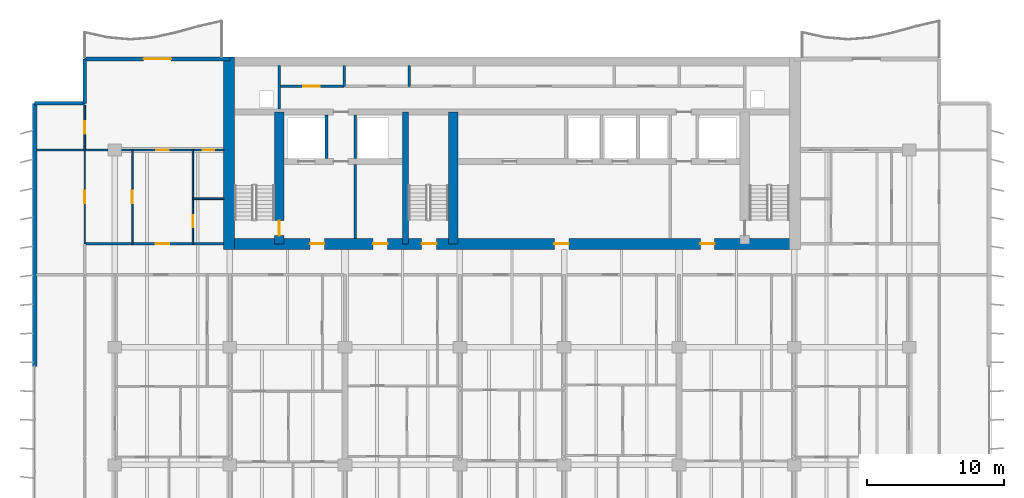
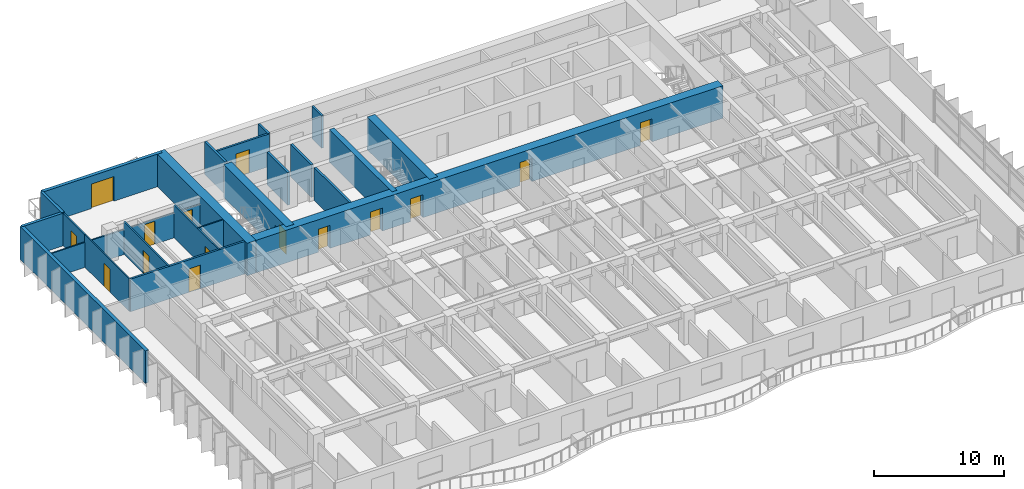
# One storey, part 11 of 18: 23 walls, 15 doors, 15 openings.
"""IFC4 building model written with IfcOpenShell, lengths in metres."""

from ifc_helpers import new_model, si_unit, direction, frame, frame_2d, origin, place, context, subcontext, project, spatial, rectangle, extrude, material, layer, layer_set, type_object, element, fill, save


model = new_model("IFC4")

# Units and contexts
model_context = context("Model", 3, precision=1e-05, world=origin(), true_north=direction((0.0, 1.0)))
body_context = subcontext(model_context, "Body", "Model", "MODEL_VIEW")
ifc_project = project(units=[si_unit("LENGTHUNIT", "METRE"), si_unit("AREAUNIT", "SQUARE_METRE"), si_unit("VOLUMEUNIT", "CUBIC_METRE"), si_unit("PLANEANGLEUNIT", "RADIAN"), si_unit("MASSUNIT", "GRAM", prefix="KILO")], contexts=[model_context])

# Site, building, storey
site_placement = place(None, origin())
site = spatial("IfcSite", under=ifc_project, at=site_placement, CompositionType="ELEMENT")
building_placement = place(site_placement, origin())
building = spatial("IfcBuilding", under=site, at=building_placement, Name="Caelmar Bay Residences", CompositionType="ELEMENT")
storey_placement = place(building_placement, frame((0.0, 0.0, 125.699951171875)))
storey = spatial("IfcBuildingStorey", under=building, at=storey_placement, Name="L34", CompositionType="ELEMENT", Elevation=125.699951171875)

# Wall, opening, door
ifc_material_1 = material(Name="Concrete f'c 55 MPa (8,000 psi)", Category="concrete")
ifc_layer_1 = layer(ifc_material_1, 0.699951171875)
ifc_layer_set_1 = layer_set([ifc_layer_1], Name="Concrete f'c 55 MPa (8,000 psi)")
wall_type_1 = type_object("IfcWallType", Name="SW-COR-700", PredefinedType="SHEAR", material=ifc_layer_set_1)
wall_1_placement = place(storey_placement, frame((21.89990234375, 36.949951171875, 0.0), z_axis=(0.0, 0.0, 1.0), x_axis=(0.0, 1.0, 0.0)))
wall_1 = element("IfcWall", 1, at=wall_1_placement, inside=storey, type_object=wall_type_1, Name="L34 Core Structural Web Wall ST1E", PredefinedType="SHEAR", context=body_context, shape_type="SweptSolid", body=[
    extrude(rectangle(XDim=9.625, YDim=0.699951171875, at=frame_2d((4.8125, 0.0))), origin(), (0.0, 0.0, 1.0), 3.050048828125),
])
opening_1_placement = place(wall_1_placement, frame((0.60009765625, 0.0, 0.0)))
opening_1 = element("IfcOpeningElement", 2, at=opening_1_placement, cuts=wall_1, Name="Opening D-L34-107", PredefinedType="OPENING", context=body_context, shape_type="SweptSolid", body=[
    extrude(rectangle(XDim=1.10009765625, YDim=2.14990234375, at=frame_2d((0.550048828125, 1.074951171875))), frame((0.0, 0.35986328125, 0.0), z_axis=(0.0, -1.0, 0.0), x_axis=(1.0, 0.0, 0.0)), (0.0, 0.0, 1.0), 0.719970703125),
])
ifc_material_2 = material(Name="Fire-rated steel and walnut architectural door assembly", Category="steel")
ifc_layer_2 = layer(ifc_material_2, 0.050048828125)
ifc_layer_set_2 = layer_set([ifc_layer_2], Name="Fire-rated steel and walnut architectural door assembly")
door_type_1 = type_object("IfcDoorType", Name="D-STAIR-1100", OperationType="NOTDEFINED", PredefinedType="DOOR", material=ifc_layer_set_2)
door_1_placement = place(opening_1_placement, origin())
door_1 = element("IfcDoor", 3, at=door_1_placement, inside=storey, type_object=door_type_1, Name="L34 Firefighting Lobby West Door", OperationType="SINGLE_SWING_RIGHT", OverallHeight=2.14990234375, OverallWidth=1.10009765625, PredefinedType="DOOR", context=body_context, shape_type="SweptSolid", body=[
    extrude(rectangle(XDim=1.10009765625, YDim=2.14990234375, at=frame_2d((0.550048828125, 1.074951171875))), frame((0.0, 0.02490234375, 0.0), z_axis=(0.0, -1.0, 0.0), x_axis=(1.0, 0.0, 0.0)), (0.0, 0.0, 1.0), 0.050048828125),
])
fill(opening_1, door_1)

# Wall
wall_2_placement = place(storey_placement, frame((34.60009765625, 36.949951171875, 0.0), z_axis=(0.0, 0.0, 1.0), x_axis=(0.0, 1.0, 0.0)))
element("IfcWall", 4, at=wall_2_placement, inside=storey, type_object=wall_type_1, Name="L34 Core Structural Web Wall ST3E", PredefinedType="SHEAR", context=body_context, shape_type="SweptSolid", body=[
    extrude(rectangle(XDim=9.625, YDim=0.699951171875, at=frame_2d((4.8125, 0.0))), origin(), (0.0, 0.0, 1.0), 3.050048828125),
])

# Wall, openings, doors
ifc_material_3 = material(Name="Concrete f'c 70 MPa (10,000 psi)", Category="concrete")
ifc_layer_3 = layer(ifc_material_3, 0.800048828125)
ifc_layer_set_3 = layer_set([ifc_layer_3], Name="Concrete f'c 70 MPa (10,000 psi)")
wall_type_2 = type_object("IfcWallType", Name="SW-COR-800", PredefinedType="SHEAR", material=ifc_layer_set_3)
wall_3_placement = place(storey_placement, frame((17.85009765625, 36.949951171875, 0.0), z_axis=(0.0, 0.0, 1.0), x_axis=(1.0, 0.0, 0.0)))
wall_3 = element("IfcWall", 5, at=wall_3_placement, inside=storey, type_object=wall_type_2, Name="L34 Rear Core South Shear Wall", PredefinedType="SHEAR", context=body_context, shape_type="SweptSolid", body=[
    extrude(rectangle(XDim=42.099853515625, YDim=0.800048828125, at=frame_2d((21.0498046875, 0.0))), origin(), (0.0, 0.0, 1.0), 3.050048828125),
])
opening_2_placement = place(wall_3_placement, frame((14.449951171875, 0.0, 0.0)))
opening_2 = element("IfcOpeningElement", 6, at=opening_2_placement, cuts=wall_3, Name="Opening D-L34-105", PredefinedType="OPENING", context=body_context, shape_type="SweptSolid", body=[
    extrude(rectangle(XDim=1.10009765625, YDim=2.14990234375, at=frame_2d((0.550048828125, 1.074951171875))), frame((0.0, 0.409912109375, 0.0), z_axis=(0.0, -1.0, 0.0), x_axis=(1.0, 0.0, 0.0)), (0.0, 0.0, 1.0), 0.820068359375),
])
opening_3_placement = place(wall_3_placement, frame((6.300048828125, 0.0, 0.0)))
opening_3 = element("IfcOpeningElement", 7, at=opening_3_placement, cuts=wall_3, Name="Opening D-L34-106", PredefinedType="OPENING", context=body_context, shape_type="SweptSolid", body=[
    extrude(rectangle(XDim=1.050048828125, YDim=2.14990234375, at=frame_2d((0.52490234375, 1.074951171875))), frame((0.0, 0.409912109375, 0.0), z_axis=(0.0, -1.0, 0.0), x_axis=(1.0, 0.0, 0.0)), (0.0, 0.0, 1.0), 0.820068359375),
])
opening_4_placement = place(wall_3_placement, frame((34.800048828125, 0.0, 0.0)))
opening_4 = element("IfcOpeningElement", 8, at=opening_4_placement, cuts=wall_3, Name="Opening D-L34-109", PredefinedType="OPENING", context=body_context, shape_type="SweptSolid", body=[
    extrude(rectangle(XDim=1.050048828125, YDim=2.14990234375, at=frame_2d((0.52490234375, 1.074951171875))), frame((0.0, 0.409912109375, 0.0), z_axis=(0.0, -1.0, 0.0), x_axis=(1.0, 0.0, 0.0)), (0.0, 0.0, 1.0), 0.820068359375),
])
opening_5_placement = place(wall_3_placement, frame((10.91259765625, 0.0, 0.0)))
opening_5 = element("IfcOpeningElement", 9, at=opening_5_placement, cuts=wall_3, Name="Opening D-L34-112", PredefinedType="OPENING", context=body_context, shape_type="SweptSolid", body=[
    extrude(rectangle(XDim=1.050048828125, YDim=2.14990234375, at=frame_2d((0.52490234375, 1.074951171875))), frame((0.0, 0.409912109375, 0.0), z_axis=(0.0, -1.0, 0.0), x_axis=(1.0, 0.0, 0.0)), (0.0, 0.0, 1.0), 0.820068359375),
])
opening_6_placement = place(wall_3_placement, frame((24.14990234375, 0.0, 0.0)))
opening_6 = element("IfcOpeningElement", 10, at=opening_6_placement, cuts=wall_3, Name="Opening D-L34-113", PredefinedType="OPENING", context=body_context, shape_type="SweptSolid", body=[
    extrude(rectangle(XDim=1.050048828125, YDim=2.14990234375, at=frame_2d((0.52490234375, 1.074951171875))), frame((0.0, 0.409912109375, 0.0), z_axis=(0.0, -1.0, 0.0), x_axis=(1.0, 0.0, 0.0)), (0.0, 0.0, 1.0), 0.820068359375),
])
ifc_layer_4 = layer(ifc_material_2, 0.050048828125)
ifc_layer_set_4 = layer_set([ifc_layer_4], Name="Fire-rated steel and walnut architectural door assembly")
door_type_2 = type_object("IfcDoorType", Name="D-FSAE-1050", OperationType="NOTDEFINED", PredefinedType="DOOR", material=ifc_layer_set_4)
door_2_placement = place(opening_3_placement, origin())
door_2 = element("IfcDoor", 11, at=door_2_placement, inside=storey, type_object=door_type_2, Name="L34 Firefighting Lobby West Door", OperationType="SINGLE_SWING_LEFT", OverallHeight=2.14990234375, OverallWidth=1.050048828125, PredefinedType="DOOR", context=body_context, shape_type="SweptSolid", body=[
    extrude(rectangle(XDim=1.050048828125, YDim=2.14990234375, at=frame_2d((0.52490234375, 1.074951171875))), frame((0.0, 0.02490234375, 0.0), z_axis=(0.0, -1.0, 0.0), x_axis=(1.0, 0.0, 0.0)), (0.0, 0.0, 1.0), 0.050048828125),
])
fill(opening_3, door_2)
door_3_placement = place(opening_4_placement, origin())
door_3 = element("IfcDoor", 12, at=door_3_placement, inside=storey, type_object=door_type_2, Name="L34 Firefighting Lobby East Door", OperationType="SINGLE_SWING_RIGHT", OverallHeight=2.14990234375, OverallWidth=1.050048828125, PredefinedType="DOOR", context=body_context, shape_type="SweptSolid", body=[
    extrude(rectangle(XDim=1.050048828125, YDim=2.14990234375, at=frame_2d((0.52490234375, 1.074951171875))), frame((0.0, 0.02490234375, 0.0), z_axis=(0.0, -1.0, 0.0), x_axis=(1.0, 0.0, 0.0)), (0.0, 0.0, 1.0), 0.050048828125),
])
fill(opening_4, door_3)
door_4_placement = place(opening_5_placement, origin())
door_4 = element("IfcDoor", 13, at=door_4_placement, inside=storey, type_object=door_type_2, Name="L34 West Lift Lobby Door", OperationType="SINGLE_SWING_LEFT", OverallHeight=2.14990234375, OverallWidth=1.050048828125, PredefinedType="DOOR", context=body_context, shape_type="SweptSolid", body=[
    extrude(rectangle(XDim=1.050048828125, YDim=2.14990234375, at=frame_2d((0.52490234375, 1.074951171875))), frame((0.0, 0.02490234375, 0.0), z_axis=(0.0, -1.0, 0.0), x_axis=(1.0, 0.0, 0.0)), (0.0, 0.0, 1.0), 0.050048828125),
])
fill(opening_5, door_4)
door_5_placement = place(opening_6_placement, origin())
door_5 = element("IfcDoor", 14, at=door_5_placement, inside=storey, type_object=door_type_2, Name="L34 Passenger Lift Lobby Door", OperationType="SINGLE_SWING_RIGHT", OverallHeight=2.14990234375, OverallWidth=1.050048828125, PredefinedType="DOOR", context=body_context, shape_type="SweptSolid", body=[
    extrude(rectangle(XDim=1.050048828125, YDim=2.14990234375, at=frame_2d((0.52490234375, 1.074951171875))), frame((0.0, 0.02490234375, 0.0), z_axis=(0.0, -1.0, 0.0), x_axis=(1.0, 0.0, 0.0)), (0.0, 0.0, 1.0), 0.050048828125),
])
fill(opening_6, door_5)
door_6_placement = place(opening_2_placement, origin())
door_6 = element("IfcDoor", 15, at=door_6_placement, inside=storey, type_object=door_type_1, Name="L34 Exit Stair ST3 Door", OperationType="SINGLE_SWING_RIGHT", OverallHeight=2.14990234375, OverallWidth=1.10009765625, PredefinedType="DOOR", context=body_context, shape_type="SweptSolid", body=[
    extrude(rectangle(XDim=1.10009765625, YDim=2.14990234375, at=frame_2d((0.550048828125, 1.074951171875))), frame((0.0, 0.02490234375, 0.0), z_axis=(0.0, -1.0, 0.0), x_axis=(1.0, 0.0, 0.0)), (0.0, 0.0, 1.0), 0.050048828125),
])
fill(opening_2, door_6)

# Walls
wall_4_placement = place(storey_placement, frame((18.25, 36.550048828125, 0.0), z_axis=(0.0, 0.0, 1.0), x_axis=(0.0, 1.0, 0.0)))
element("IfcWall", 16, at=wall_4_placement, inside=storey, type_object=wall_type_2, Name="L34 Rear Core West Shear Wall", PredefinedType="SHEAR", context=body_context, shape_type="SweptSolid", body=[
    extrude(rectangle(XDim=14.050048828125, YDim=0.800048828125, at=frame_2d((7.02490234375, 0.0))), origin(), (0.0, 0.0, 1.0), 3.050048828125),
])
ifc_layer_5 = layer(ifc_material_3, 0.449951171875)
ifc_layer_set_5 = layer_set([ifc_layer_5], Name="Concrete f'c 70 MPa (10,000 psi)")
wall_type_3 = type_object("IfcWallType", Name="SW-WEB-450", PredefinedType="SHEAR", material=ifc_layer_set_5)
wall_5_placement = place(storey_placement, frame((31.125, 36.949951171875, 0.0), z_axis=(0.0, 0.0, 1.0), x_axis=(0.0, 1.0, 0.0)))
element("IfcWall", 17, at=wall_5_placement, inside=storey, type_object=wall_type_3, Name="L34 Core Structural Web Wall ST3W", PredefinedType="SHEAR", context=body_context, shape_type="SweptSolid", body=[
    extrude(rectangle(XDim=9.625, YDim=0.449951171875, at=frame_2d((4.8125, 0.0))), origin(), (0.0, 0.0, 1.0), 3.050048828125),
])
ifc_material_4 = material(Name="Double-stud acoustic fire-rated gypsum partition 180 mm")
ifc_layer_6 = layer(ifc_material_4, 0.179931640625)
ifc_layer_set_6 = layer_set([ifc_layer_6], Name="Double-stud acoustic fire-rated gypsum partition 180 mm")
wall_type_4 = type_object("IfcWallType", Name="W-COR-200", PredefinedType="PARTITIONING", material=ifc_layer_set_6)
for number, where, z_axis, x_axis, name in (
    (18, (26.64990234375, 48.449951171875, 0.0), (0.0, 0.0, 1.0), (0.0, 1.0, 0.0), "L34 Partition Wall V037"),
    (19, (31.39990234375, 48.449951171875, 0.0), (0.0, 0.0, 1.0), (0.0, 1.0, 0.0), "L34 Partition Wall V048"),
):
    element("IfcWall", number, at=place(storey_placement, frame(where, z_axis=z_axis, x_axis=x_axis)), inside=storey, type_object=wall_type_4, Name=name, PredefinedType="PARTITIONING", context=body_context, shape_type="SweptSolid", body=[
        extrude(rectangle(XDim=1.505126953125, YDim=0.179931640625, at=frame_2d((0.75244140625, 0.0))), origin(), (0.0, 0.0, 1.0), 3.050048828125),
    ])

# Wall, opening, door
wall_6_placement = place(storey_placement, frame((7.699951171875, 36.949951171875, 0.0), z_axis=(0.0, 0.0, 1.0), x_axis=(1.0, 0.0, 0.0)))
wall_6 = element("IfcWall", 20, at=wall_6_placement, inside=storey, type_object=wall_type_4, Name="L34 Partition Wall H147", PredefinedType="PARTITIONING", context=body_context, shape_type="SweptSolid", body=[
    extrude(rectangle(XDim=10.14501953125, YDim=0.179931640625, at=frame_2d((5.072509765625, 0.0))), origin(), (0.0, 0.0, 1.0), 3.050048828125),
])
opening_7_placement = place(wall_6_placement, frame((5.18798828125, 0.0, 0.0)))
opening_7 = element("IfcOpeningElement", 21, at=opening_7_placement, cuts=wall_6, Name="Opening D-L34-176", PredefinedType="OPENING", context=body_context, shape_type="SweptSolid", body=[
    extrude(rectangle(XDim=1.0, YDim=2.199951171875, at=frame_2d((0.5, 1.10009765625))), frame((0.0, 0.099853515625, 0.0), z_axis=(0.0, -1.0, 0.0), x_axis=(1.0, 0.0, 0.0)), (0.0, 0.0, 1.0), 0.199951171875),
])
ifc_layer_7 = layer(ifc_material_2, 0.050048828125)
ifc_layer_set_7 = layer_set([ifc_layer_7], Name="Fire-rated steel and walnut architectural door assembly")
door_type_3 = type_object("IfcDoorType", Name="D-UNIT-1000", OperationType="NOTDEFINED", PredefinedType="DOOR", material=ifc_layer_set_7)
door_7_placement = place(opening_7_placement, origin())
door_7 = element("IfcDoor", 22, at=door_7_placement, inside=storey, type_object=door_type_3, Name="L34 Residence WA Kitchen Door", OperationType="SINGLE_SWING_LEFT", OverallHeight=2.199951171875, OverallWidth=1.0, PredefinedType="DOOR", context=body_context, shape_type="SweptSolid", body=[
    extrude(rectangle(XDim=1.0, YDim=2.199951171875, at=frame_2d((0.5, 1.10009765625))), frame((0.0, 0.02490234375, 0.0), z_axis=(0.0, -1.0, 0.0), x_axis=(1.0, 0.0, 0.0)), (0.0, 0.0, 1.0), 0.050048828125),
])
fill(opening_7, door_7)

wall_7_placement = place(storey_placement, frame((21.89990234375, 48.449951171875, 0.0), z_axis=(0.0, 0.0, 1.0), x_axis=(1.0, 0.0, 0.0)))
wall_7 = element("IfcWall", 23, at=wall_7_placement, inside=storey, type_object=wall_type_4, Name="L34 Partition Wall H153", PredefinedType="PARTITIONING", context=body_context, shape_type="SweptSolid", body=[
    extrude(rectangle(XDim=4.75, YDim=0.179931640625, at=frame_2d((2.375, 0.0))), origin(), (0.0, 0.0, 1.0), 3.050048828125),
])
opening_8_placement = place(wall_7_placement, frame((1.77490234375, 0.0, 0.0)))
opening_8 = element("IfcOpeningElement", 24, at=opening_8_placement, cuts=wall_7, Name="Opening D-L34-117", PredefinedType="OPENING", context=body_context, shape_type="SweptSolid", body=[
    extrude(rectangle(XDim=1.199951171875, YDim=2.199951171875, at=frame_2d((0.60009765625, 1.10009765625))), frame((0.0, 0.099853515625, 0.0), z_axis=(0.0, -1.0, 0.0), x_axis=(1.0, 0.0, 0.0)), (0.0, 0.0, 1.0), 0.199951171875),
])
ifc_layer_8 = layer(ifc_material_2, 0.050048828125)
ifc_layer_set_8 = layer_set([ifc_layer_8], Name="Fire-rated steel and walnut architectural door assembly")
door_type_4 = type_object("IfcDoorType", Name="D-PLANT-1200", OperationType="NOTDEFINED", PredefinedType="DOOR", material=ifc_layer_set_8)
door_8_placement = place(opening_8_placement, origin())
door_8 = element("IfcDoor", 25, at=door_8_placement, inside=storey, type_object=door_type_4, Name="L34 Branch Panel Closet Door", OperationType="SINGLE_SWING_RIGHT", OverallHeight=2.199951171875, OverallWidth=1.199951171875, PredefinedType="DOOR", context=body_context, shape_type="SweptSolid", body=[
    extrude(rectangle(XDim=1.199951171875, YDim=2.199951171875, at=frame_2d((0.60009765625, 1.10009765625))), frame((0.0, 0.02490234375, 0.0), z_axis=(0.0, -1.0, 0.0), x_axis=(1.0, 0.0, 0.0)), (0.0, 0.0, 1.0), 0.050048828125),
])
fill(opening_8, door_8)

# Walls
ifc_material_5 = material(Name="Precast concrete f'c 40 MPa (6,000 psi)", Category="concrete")
ifc_layer_9 = layer(ifc_material_5, 0.25)
ifc_layer_set_9 = layer_set([ifc_layer_9], Name="Precast concrete f'c 40 MPa (6,000 psi)")
wall_type_5 = type_object("IfcWallType", Name="W-EXT-250", PredefinedType="ELEMENTEDWALL", material=ifc_layer_set_9)
wall_8_placement = place(storey_placement, frame((4.050048828125, 47.199951171875, 0.0), z_axis=(0.0, 0.0, 1.0), x_axis=(1.0, 0.0, 0.0)))
element("IfcWall", 26, at=wall_8_placement, inside=storey, type_object=wall_type_5, Name="L34 NNW-H Notch Wall", PredefinedType="ELEMENTEDWALL", context=body_context, shape_type="SweptSolid", body=[
    extrude(rectangle(XDim=3.64990234375, YDim=0.25, at=frame_2d((1.824951171875, 0.0))), origin(), (0.0, 0.0, 1.0), 3.050048828125),
])
wall_9_placement = place(storey_placement, frame((7.699951171875, 47.199951171875, 0.0), z_axis=(0.0, 0.0, 1.0), x_axis=(0.0, 1.0, 0.0)))
element("IfcWall", 27, at=wall_9_placement, inside=storey, type_object=wall_type_5, Name="L34 NNW-V Notch Wall", PredefinedType="ELEMENTEDWALL", context=body_context, shape_type="SweptSolid", body=[
    extrude(rectangle(XDim=3.25, YDim=0.25, at=frame_2d((1.625, 0.0))), origin(), (0.0, 0.0, 1.0), 3.050048828125),
])
ifc_layer_10 = layer(ifc_material_5, 0.300048828125)
ifc_layer_set_10 = layer_set([ifc_layer_10], Name="Precast concrete f'c 40 MPa (6,000 psi)")
wall_type_6 = type_object("IfcWallType", Name="W-EXT-300", PredefinedType="STANDARD", material=ifc_layer_set_10)
wall_10_placement = place(storey_placement, frame((4.050048828125, 28.0, 0.0), z_axis=(0.0, 0.0, 1.0), x_axis=(0.0, 1.0, 0.0)))
element("IfcWall", 28, at=wall_10_placement, inside=storey, type_object=wall_type_6, Name="L34 West Rear Exterior Wall", PredefinedType="STANDARD", context=body_context, shape_type="SweptSolid", body=[
    extrude(rectangle(XDim=19.199951171875, YDim=0.300048828125, at=frame_2d((9.60009765625, 0.0))), origin(), (0.0, 0.0, 1.0), 3.050048828125),
])

# Wall, opening, door
wall_11_placement = place(storey_placement, frame((7.699951171875, 50.449951171875, 0.0), z_axis=(0.0, 0.0, 1.0), x_axis=(1.0, 0.0, 0.0)))
wall_11 = element("IfcWall", 29, at=wall_11_placement, inside=storey, type_object=wall_type_6, Name="L34 North-West Wing Exterior Wall", PredefinedType="STANDARD", context=body_context, shape_type="SweptSolid", body=[
    extrude(rectangle(XDim=10.60009765625, YDim=0.300048828125, at=frame_2d((5.300048828125, 0.0))), origin(), (0.0, 0.0, 1.0), 3.050048828125),
])
opening_9_placement = place(wall_11_placement, frame((4.300048828125, 0.0, 0.0)))
opening_9 = element("IfcOpeningElement", 30, at=opening_9_placement, cuts=wall_11, Name="Opening L34-BDNW", PredefinedType="OPENING", context=body_context, shape_type="SweptSolid", body=[
    extrude(rectangle(XDim=2.0, YDim=2.300048828125, at=frame_2d((1.0, 1.14990234375))), frame((0.0, 0.159912109375, 0.0), z_axis=(0.0, -1.0, 0.0), x_axis=(1.0, 0.0, 0.0)), (0.0, 0.0, 1.0), 0.320068359375),
])
ifc_material_6 = material(Name="Anodised bronze thermally broken sliding glass door", Category="glass")
ifc_layer_11 = layer(ifc_material_6, 0.050048828125)
ifc_layer_set_11 = layer_set([ifc_layer_11], Name="Anodised bronze thermally broken sliding glass door")
door_type_5 = type_object("IfcDoorType", Name="D-BAL-2000", OperationType="DOUBLE_DOOR_SLIDING", PredefinedType="DOOR", material=ifc_layer_set_11)
door_9_placement = place(opening_9_placement, origin())
door_9 = element("IfcDoor", 31, at=door_9_placement, inside=storey, type_object=door_type_5, Name="L34 North-West Balcony Door", OperationType="DOUBLE_DOOR_SLIDING", OverallHeight=2.300048828125, OverallWidth=2.0, PredefinedType="DOOR", context=body_context, shape_type="SweptSolid", body=[
    extrude(rectangle(XDim=2.0, YDim=2.300048828125, at=frame_2d((1.0, 1.14990234375))), frame((0.0, 0.02490234375, 0.0), z_axis=(0.0, -1.0, 0.0), x_axis=(1.0, 0.0, 0.0)), (0.0, 0.0, 1.0), 0.050048828125),
])
fill(opening_9, door_9)

# Walls
ifc_material_7 = material(Name="Fire-rated masonry and gypsum shaftliner assembly 200 mm", Category="masonry")
ifc_layer_12 = layer(ifc_material_7, 0.199951171875)
ifc_layer_set_12 = layer_set([ifc_layer_12], Name="Fire-rated masonry and gypsum shaftliner assembly 200 mm")
wall_type_7 = type_object("IfcWallType", Name="W-FSAE-200", PredefinedType="PARTITIONING", material=ifc_layer_set_12)
wall_12_placement = place(storey_placement, frame((21.89990234375, 46.794921875, 0.0), z_axis=(0.0, 0.0, 1.0), x_axis=(0.0, 1.0, 0.0)))
element("IfcWall", 32, at=wall_12_placement, inside=storey, type_object=wall_type_7, Name="L34 Partition Wall V029", PredefinedType="PARTITIONING", context=body_context, shape_type="SweptSolid", body=[
    extrude(rectangle(XDim=3.16015625, YDim=0.199951171875, at=frame_2d((1.580078125, 0.0))), origin(), (0.0, 0.0, 1.0), 3.050048828125),
])
wall_13_placement = place(storey_placement, frame((25.35009765625, 43.169921875, 0.0), z_axis=(0.0, 0.0, 1.0), x_axis=(0.0, 1.0, 0.0)))
element("IfcWall", 33, at=wall_13_placement, inside=storey, type_object=wall_type_7, Name="L34 Partition Wall V036", PredefinedType="PARTITIONING", context=body_context, shape_type="SweptSolid", body=[
    extrude(rectangle(XDim=3.18505859375, YDim=0.199951171875, at=frame_2d((1.592529296875, 0.0))), origin(), (0.0, 0.0, 1.0), 3.050048828125),
])
wall_14_placement = place(storey_placement, frame((27.449951171875, 37.344970703125, 0.0), z_axis=(0.0, 0.0, 1.0), x_axis=(0.0, 1.0, 0.0)))
element("IfcWall", 34, at=wall_14_placement, inside=storey, type_object=wall_type_7, Name="L34 Partition Wall V041", PredefinedType="PARTITIONING", context=body_context, shape_type="SweptSolid", body=[
    extrude(rectangle(XDim=5.385009765625, YDim=0.199951171875, at=frame_2d((2.6923828125, 0.0))), origin(), (0.0, 0.0, 1.0), 3.050048828125),
])
wall_15_placement = place(storey_placement, frame((27.449951171875, 43.169921875, 0.0), z_axis=(0.0, 0.0, 1.0), x_axis=(0.0, 1.0, 0.0)))
element("IfcWall", 35, at=wall_15_placement, inside=storey, type_object=wall_type_7, Name="L34 Partition Wall V042", PredefinedType="PARTITIONING", context=body_context, shape_type="SweptSolid", body=[
    extrude(rectangle(XDim=3.18505859375, YDim=0.199951171875, at=frame_2d((1.592529296875, 0.0))), origin(), (0.0, 0.0, 1.0), 3.050048828125),
])

# Wall, opening, door
ifc_material_8 = material(Name="Anodised bronze framed acoustic sliding study partition 100 mm")
ifc_layer_13 = layer(ifc_material_8, 0.10009765625)
ifc_layer_set_13 = layer_set([ifc_layer_13], Name="Anodised bronze framed acoustic sliding study partition 100 mm")
wall_type_8 = type_object("IfcWallType", Name="W-MOV-100", PredefinedType="MOVABLE", material=ifc_layer_set_13)
wall_16_placement = place(storey_placement, frame((7.699951171875, 36.955078125, 0.0), z_axis=(0.0, 0.0, 1.0), x_axis=(0.0, 1.0, 0.0)))
wall_16 = element("IfcWall", 36, at=wall_16_placement, inside=storey, type_object=wall_type_8, Name="L34 Partition Wall V007", PredefinedType="MOVABLE", context=body_context, shape_type="SweptSolid", body=[
    extrude(rectangle(XDim=6.844970703125, YDim=0.10009765625, at=frame_2d((3.42236328125, 0.0))), origin(), (0.0, 0.0, 1.0), 3.050048828125),
])
opening_10_placement = place(wall_16_placement, frame((2.972412109375, 0.0, 0.0)))
opening_10 = element("IfcOpeningElement", 37, at=opening_10_placement, cuts=wall_16, Name="Opening D-L34-180", PredefinedType="OPENING", context=body_context, shape_type="SweptSolid", body=[
    extrude(rectangle(XDim=0.89990234375, YDim=2.14990234375, at=frame_2d((0.449951171875, 1.074951171875))), frame((0.0, 0.06005859375, 0.0), z_axis=(0.0, -1.0, 0.0), x_axis=(1.0, 0.0, 0.0)), (0.0, 0.0, 1.0), 0.1201171875),
])
ifc_material_9 = material(Name="Solid walnut timber interior door leaf and frame", Category="wood")
ifc_layer_14 = layer(ifc_material_9, 0.050048828125)
ifc_layer_set_14 = layer_set([ifc_layer_14], Name="Solid walnut timber interior door leaf and frame")
door_type_6 = type_object("IfcDoorType", Name="D-ROOM-900", OperationType="NOTDEFINED", PredefinedType="DOOR", material=ifc_layer_set_14)
door_10_placement = place(opening_10_placement, origin())
door_10 = element("IfcDoor", 38, at=door_10_placement, inside=storey, type_object=door_type_6, Name="L34 Residence WA Sun Study Door", OperationType="SINGLE_SWING_LEFT", OverallHeight=2.14990234375, OverallWidth=0.89990234375, PredefinedType="DOOR", context=body_context, shape_type="SweptSolid", body=[
    extrude(rectangle(XDim=0.89990234375, YDim=2.14990234375, at=frame_2d((0.449951171875, 1.074951171875))), frame((0.0, 0.02490234375, 0.0), z_axis=(0.0, -1.0, 0.0), x_axis=(1.0, 0.0, 0.0)), (0.0, 0.0, 1.0), 0.050048828125),
])
fill(opening_10, door_10)

ifc_material_10 = material(Name="Acoustic metal-stud gypsum partition 120 mm")
ifc_layer_15 = layer(ifc_material_10, 0.1201171875)
ifc_layer_set_15 = layer_set([ifc_layer_15], Name="Acoustic metal-stud gypsum partition 120 mm")
wall_type_9 = type_object("IfcWallType", Name="W-PRT-120", PredefinedType="PARTITIONING", material=ifc_layer_set_15)
wall_17_placement = place(storey_placement, frame((7.699951171875, 43.804931640625, 0.0), z_axis=(0.0, 0.0, 1.0), x_axis=(0.0, 1.0, 0.0)))
wall_17 = element("IfcWall", 39, at=wall_17_placement, inside=storey, type_object=wall_type_9, Name="L34 Partition Wall V008", PredefinedType="PARTITIONING", context=body_context, shape_type="SweptSolid", body=[
    extrude(rectangle(XDim=3.275146484375, YDim=0.1201171875, at=frame_2d((1.6376953125, 0.0))), origin(), (0.0, 0.0, 1.0), 3.050048828125),
])
opening_11_placement = place(wall_17_placement, frame((1.1875, 0.0, 0.0)))
opening_11 = element("IfcOpeningElement", 40, at=opening_11_placement, cuts=wall_17, Name="Opening D-L34-181", PredefinedType="OPENING", context=body_context, shape_type="SweptSolid", body=[
    extrude(rectangle(XDim=0.89990234375, YDim=2.14990234375, at=frame_2d((0.449951171875, 1.074951171875))), frame((0.0, 0.070068359375, 0.0), z_axis=(0.0, -1.0, 0.0), x_axis=(1.0, 0.0, 0.0)), (0.0, 0.0, 1.0), 0.14013671875),
])
door_11_placement = place(opening_11_placement, origin())
door_11 = element("IfcDoor", 41, at=door_11_placement, inside=storey, type_object=door_type_6, Name="L34 Residence WA North Sitting Alcove Door", OperationType="SINGLE_SWING_RIGHT", OverallHeight=2.14990234375, OverallWidth=0.89990234375, PredefinedType="DOOR", context=body_context, shape_type="SweptSolid", body=[
    extrude(rectangle(XDim=0.89990234375, YDim=2.14990234375, at=frame_2d((0.449951171875, 1.074951171875))), frame((0.0, 0.02490234375, 0.0), z_axis=(0.0, -1.0, 0.0), x_axis=(1.0, 0.0, 0.0)), (0.0, 0.0, 1.0), 0.050048828125),
])
fill(opening_11, door_11)

wall_18_placement = place(storey_placement, frame((11.176025390625, 36.949951171875, 0.0), z_axis=(0.0, 0.0, 1.0), x_axis=(0.0, 1.0, 0.0)))
wall_18 = element("IfcWall", 42, at=wall_18_placement, inside=storey, type_object=wall_type_9, Name="L34 Partition Wall V015", PredefinedType="PARTITIONING", context=body_context, shape_type="SweptSolid", body=[
    extrude(rectangle(XDim=6.85009765625, YDim=0.1201171875, at=frame_2d((3.425048828125, 0.0))), origin(), (0.0, 0.0, 1.0), 3.050048828125),
])
opening_12_placement = place(wall_18_placement, frame((2.97509765625, 0.0, 0.0)))
opening_12 = element("IfcOpeningElement", 43, at=opening_12_placement, cuts=wall_18, Name="Opening D-L34-175", PredefinedType="OPENING", context=body_context, shape_type="SweptSolid", body=[
    extrude(rectangle(XDim=0.89990234375, YDim=2.14990234375, at=frame_2d((0.449951171875, 1.074951171875))), frame((0.0, 0.070068359375, 0.0), z_axis=(0.0, -1.0, 0.0), x_axis=(1.0, 0.0, 0.0)), (0.0, 0.0, 1.0), 0.14013671875),
])
door_12_placement = place(opening_12_placement, origin())
door_12 = element("IfcDoor", 44, at=door_12_placement, inside=storey, type_object=door_type_6, Name="L34 Residence WA Dining Room Door", OperationType="SINGLE_SWING_RIGHT", OverallHeight=2.14990234375, OverallWidth=0.89990234375, PredefinedType="DOOR", context=body_context, shape_type="SweptSolid", body=[
    extrude(rectangle(XDim=0.89990234375, YDim=2.14990234375, at=frame_2d((0.449951171875, 1.074951171875))), frame((0.0, 0.02490234375, 0.0), z_axis=(0.0, -1.0, 0.0), x_axis=(1.0, 0.0, 0.0)), (0.0, 0.0, 1.0), 0.050048828125),
])
fill(opening_12, door_12)

wall_19_placement = place(storey_placement, frame((15.60009765625, 36.949951171875, 0.0), z_axis=(0.0, 0.0, 1.0), x_axis=(0.0, 1.0, 0.0)))
wall_19 = element("IfcWall", 45, at=wall_19_placement, inside=storey, type_object=wall_type_9, Name="L34 Partition Wall V021", PredefinedType="PARTITIONING", context=body_context, shape_type="SweptSolid", body=[
    extrude(rectangle(XDim=6.85009765625, YDim=0.1201171875, at=frame_2d((3.425048828125, 0.0))), origin(), (0.0, 0.0, 1.0), 3.050048828125),
])
opening_13_placement = place(wall_19_placement, frame((1.218994140625, 0.0, 0.0)))
opening_13 = element("IfcOpeningElement", 46, at=opening_13_placement, cuts=wall_19, Name="Opening D-L34-178", PredefinedType="OPENING", context=body_context, shape_type="SweptSolid", body=[
    extrude(rectangle(XDim=0.85009765625, YDim=2.10009765625, at=frame_2d((0.425048828125, 1.050048828125))), frame((0.0, 0.070068359375, 0.0), z_axis=(0.0, -1.0, 0.0), x_axis=(1.0, 0.0, 0.0)), (0.0, 0.0, 1.0), 0.14013671875),
])
ifc_layer_16 = layer(ifc_material_9, 0.050048828125)
ifc_layer_set_16 = layer_set([ifc_layer_16], Name="Solid walnut timber interior door leaf and frame")
door_type_7 = type_object("IfcDoorType", Name="D-BATH-850", OperationType="NOTDEFINED", PredefinedType="DOOR", material=ifc_layer_set_16)
door_13_placement = place(opening_13_placement, origin())
door_13 = element("IfcDoor", 47, at=door_13_placement, inside=storey, type_object=door_type_7, Name="L34 Residence WA Walk-In Closet Door", OperationType="SINGLE_SWING_LEFT", OverallHeight=2.10009765625, OverallWidth=0.85009765625, PredefinedType="DOOR", context=body_context, shape_type="SweptSolid", body=[
    extrude(rectangle(XDim=0.85009765625, YDim=2.10009765625, at=frame_2d((0.425048828125, 1.050048828125))), frame((0.0, 0.02490234375, 0.0), z_axis=(0.0, -1.0, 0.0), x_axis=(1.0, 0.0, 0.0)), (0.0, 0.0, 1.0), 0.050048828125),
])
fill(opening_13, door_13)

# Wall
wall_20_placement = place(storey_placement, frame((15.60009765625, 40.238037109375, 0.0), z_axis=(0.0, 0.0, 1.0), x_axis=(1.0, 0.0, 0.0)))
element("IfcWall", 48, at=wall_20_placement, inside=storey, type_object=wall_type_9, Name="L34 Partition Wall H149", PredefinedType="PARTITIONING", context=body_context, shape_type="SweptSolid", body=[
    extrude(rectangle(XDim=2.2548828125, YDim=0.1201171875, at=frame_2d((1.12744140625, 0.0))), origin(), (0.0, 0.0, 1.0), 3.050048828125),
])

# Wall, openings, doors
wall_21_placement = place(storey_placement, frame((4.195068359375, 43.800048828125, 0.0), z_axis=(0.0, 0.0, 1.0), x_axis=(1.0, 0.0, 0.0)))
wall_21 = element("IfcWall", 49, at=wall_21_placement, inside=storey, type_object=wall_type_9, Name="L34 Partition Wall H151", PredefinedType="PARTITIONING", context=body_context, shape_type="SweptSolid", body=[
    extrude(rectangle(XDim=13.659912109375, YDim=0.1201171875, at=frame_2d((6.830078125, 0.0))), origin(), (0.0, 0.0, 1.0), 2.339111328125),
])
opening_14_placement = place(wall_21_placement, frame((8.742919921875, 0.0, 0.0)))
opening_14 = element("IfcOpeningElement", 50, at=opening_14_placement, cuts=wall_21, Name="Opening D-L34-177", PredefinedType="OPENING", context=body_context, shape_type="SweptSolid", body=[
    extrude(rectangle(XDim=0.89990234375, YDim=2.14990234375, at=frame_2d((0.449951171875, 1.074951171875))), frame((0.0, 0.070068359375, 0.0), z_axis=(0.0, -1.0, 0.0), x_axis=(1.0, 0.0, 0.0)), (0.0, 0.0, 1.0), 0.14013671875),
])
opening_15_placement = place(wall_21_placement, frame((12.107421875, 0.0, 0.0)))
opening_15 = element("IfcOpeningElement", 51, at=opening_15_placement, cuts=wall_21, Name="Opening D-L34-179", PredefinedType="OPENING", context=body_context, shape_type="SweptSolid", body=[
    extrude(rectangle(XDim=0.85009765625, YDim=2.10009765625, at=frame_2d((0.425048828125, 1.050048828125))), frame((0.0, 0.070068359375, 0.0), z_axis=(0.0, -1.0, 0.0), x_axis=(1.0, 0.0, 0.0)), (0.0, 0.0, 1.0), 0.14013671875),
])
door_14_placement = place(opening_15_placement, origin())
door_14 = element("IfcDoor", 52, at=door_14_placement, inside=storey, type_object=door_type_7, Name="L34 Residence WA Bathroom Door", OperationType="SINGLE_SWING_RIGHT", OverallHeight=2.10009765625, OverallWidth=0.85009765625, PredefinedType="DOOR", context=body_context, shape_type="SweptSolid", body=[
    extrude(rectangle(XDim=0.85009765625, YDim=2.10009765625, at=frame_2d((0.425048828125, 1.050048828125))), frame((0.0, 0.02490234375, 0.0), z_axis=(0.0, -1.0, 0.0), x_axis=(1.0, 0.0, 0.0)), (0.0, 0.0, 1.0), 0.050048828125),
])
fill(opening_15, door_14)
door_15_placement = place(opening_14_placement, origin())
door_15 = element("IfcDoor", 53, at=door_15_placement, inside=storey, type_object=door_type_6, Name="L34 Residence WA Studio Living and Sleeping Room Door", OperationType="SINGLE_SWING_RIGHT", OverallHeight=2.14990234375, OverallWidth=0.89990234375, PredefinedType="DOOR", context=body_context, shape_type="SweptSolid", body=[
    extrude(rectangle(XDim=0.89990234375, YDim=2.14990234375, at=frame_2d((0.449951171875, 1.074951171875))), frame((0.0, 0.02490234375, 0.0), z_axis=(0.0, -1.0, 0.0), x_axis=(1.0, 0.0, 0.0)), (0.0, 0.0, 1.0), 0.050048828125),
])
fill(opening_14, door_15)

save(model, "model.ifc")
